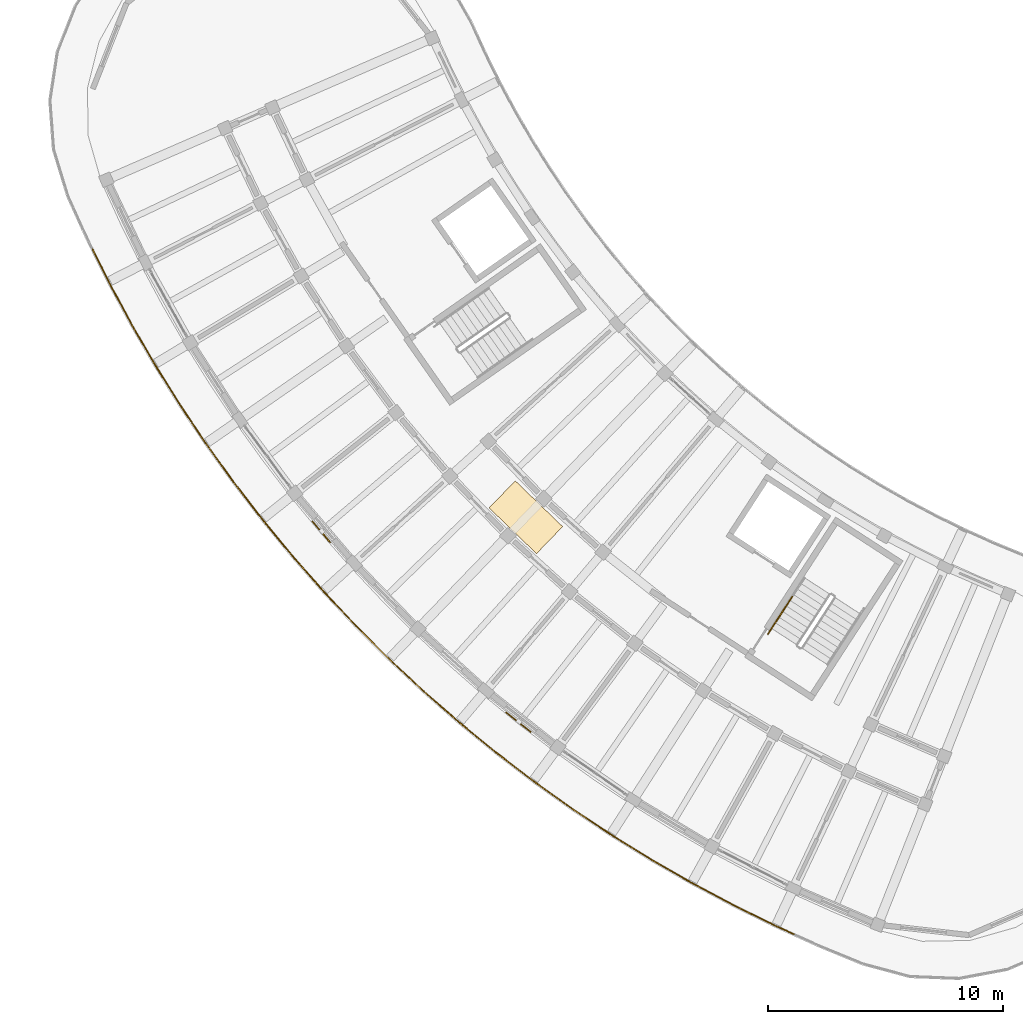
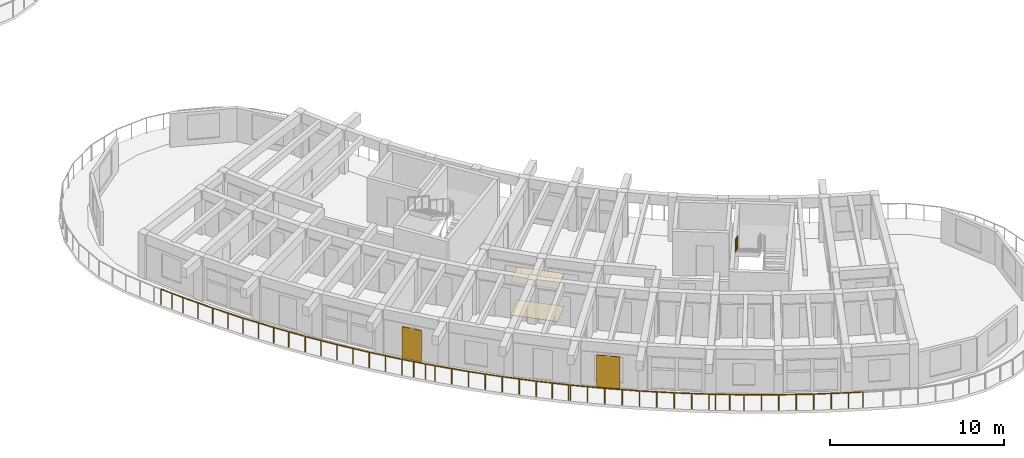
# One storey, part 49 of 62: 7 railings, 2 coverings, 2 shading devices.
"""IFC4 building model written with IfcOpenShell, lengths in metres."""

from ifc_helpers import new_model, si_unit, direction, frame, origin, origin_2d, place, context, subcontext, project, spatial, rectangle, circle, extrude, material, layer, layer_set, type_object, element, save


model = new_model("IFC4")

# Units and contexts
model_context = context("Model", 3, precision=1e-05, world=origin(), true_north=direction((0.0, 1.0)))
body_context = subcontext(model_context, "Body", "Model", "MODEL_VIEW")
ifc_project = project(units=[si_unit("LENGTHUNIT", "METRE"), si_unit("AREAUNIT", "SQUARE_METRE"), si_unit("VOLUMEUNIT", "CUBIC_METRE"), si_unit("PLANEANGLEUNIT", "RADIAN"), si_unit("MASSUNIT", "GRAM", prefix="KILO")], contexts=[model_context])

# Site, building, storey
site_placement = place(None, origin())
site = spatial("IfcSite", under=ifc_project, at=site_placement, CompositionType="ELEMENT")
building_placement = place(site_placement, origin())
building = spatial("IfcBuilding", under=site, at=building_placement, Name="Tanwirah Colonnade Gardens", CompositionType="ELEMENT")
storey_placement = place(building_placement, frame((0.0, 0.0, 32.360107421875)))
storey = spatial("IfcBuildingStorey", under=building, at=storey_placement, Name="L09", CompositionType="ELEMENT", Elevation=32.360107421875)

# Railings
ifc_material_1 = material(Name="Precast concrete C40/50", Category="concrete")
railing_type_1 = type_object("IfcRailingType", Name="BAL-EXT110", PredefinedType="BALUSTRADE", material=ifc_material_1)
railing_1_placement = place(storey_placement, frame((39.604736328125, 8.694580078125, 0.0)))
element("IfcRailing", 1, at=railing_1_placement, inside=storey, type_object=railing_type_1, Name="Block C L09 Balcony Ribbon Balustrade 9", PredefinedType="BALUSTRADE", context=body_context, shape_type="SweptSolid", body=[
    extrude(circle(Radius=0.02392578125, at=origin_2d()), frame((-0.028564453125, 0.012939453125, 1.076171875), z_axis=(-0.911314059764, 0.411711894991, 0.0), x_axis=(-0.411711894991, -0.911314059764, 0.0)), (0.0, 0.0, 1.0), 0.773681640625),
    extrude(circle(Radius=0.02392578125, at=origin_2d()), frame((-0.7900390625, 0.358154296875, 1.076171875), z_axis=(-0.897352335885, 0.441314836916, 0.0), x_axis=(-0.441314836916, -0.897352335885, 0.0)), (0.0, 0.0, 1.0), 1.944091796875),
    extrude(circle(Radius=0.02392578125, at=origin_2d()), frame((-2.590087890625, 1.244384765625, 1.076171875), z_axis=(-0.882416921514, 0.470468252516, 0.0), x_axis=(-0.470468252516, -0.882416921514, 0.0)), (0.0, 0.0, 1.0), 1.944091796875),
    extrude(circle(Radius=0.02392578125, at=origin_2d()), frame((-4.3603515625, 2.189453125, 1.076171875), z_axis=(-0.866598539642, 0.499005983021, 0.0), x_axis=(-0.499005983021, -0.866598539642, 0.0)), (0.0, 0.0, 1.0), 1.94384765625),
    extrude(circle(Radius=0.02392578125, at=origin_2d()), frame((-6.0986328125, 3.19140625, 1.076171875), z_axis=(-0.849786962615, 0.527126282943, 0.0), x_axis=(-0.527126282943, -0.849786962615, 0.0)), (0.0, 0.0, 1.0), 1.581787109375),
    extrude(circle(Radius=0.02099609375, at=origin_2d()), origin(), (0.0, 0.0, 1.0), 1.049072265625),
    extrude(circle(Radius=0.02099609375, at=origin_2d()), frame((-0.761962890625, 0.34423828125, 0.0)), (0.0, 0.0, 1.0), 1.049072265625),
    extrude(circle(Radius=0.02099609375, at=origin_2d()), frame((-1.662109375, 0.787109375, 0.0)), (0.0, 0.0, 1.0), 1.049072265625),
    extrude(circle(Radius=0.02099609375, at=origin_2d()), frame((-2.5625, 1.229736328125, 0.0)), (0.0, 0.0, 1.0), 1.049072265625),
    extrude(circle(Radius=0.02099609375, at=origin_2d()), frame((-3.44775390625, 1.70166015625, 0.0)), (0.0, 0.0, 1.0), 1.049072265625),
    extrude(circle(Radius=0.02099609375, at=origin_2d()), frame((-4.333251953125, 2.173828125, 0.0)), (0.0, 0.0, 1.0), 1.049072265625),
    extrude(circle(Radius=0.02099609375, at=origin_2d()), frame((-5.20263671875, 2.67431640625, 0.0)), (0.0, 0.0, 1.0), 1.049072265625),
    extrude(circle(Radius=0.02099609375, at=origin_2d()), frame((-6.072021484375, 3.175048828125, 0.0)), (0.0, 0.0, 1.0), 1.049072265625),
    extrude(circle(Radius=0.02099609375, at=origin_2d()), frame((-6.7705078125, 3.6083984375, 0.0)), (0.0, 0.0, 1.0), 1.049072265625),
    extrude(circle(Radius=0.02099609375, at=origin_2d()), frame((-7.46923828125, 4.041748046875, 0.0)), (0.0, 0.0, 1.0), 1.049072265625),
])
railing_2_placement = place(storey_placement, frame((32.135498046875, 12.736328125, 0.0)))
element("IfcRailing", 2, at=railing_2_placement, inside=storey, type_object=railing_type_1, Name="Block C L09 Balcony Ribbon Balustrade 10", PredefinedType="BALUSTRADE", context=body_context, shape_type="SweptSolid", body=[
    extrude(circle(Radius=0.02392578125, at=origin_2d()), frame((-0.026611328125, 0.0166015625, 1.076171875), z_axis=(-0.849733782289, 0.527212005968, 0.0), x_axis=(-0.527212005968, -0.849733782289, 0.0)), (0.0, 0.0, 1.0), 0.300048828125),
    extrude(circle(Radius=0.02392578125, at=origin_2d()), frame((-0.334228515625, 0.20849609375, 1.076171875), z_axis=(-0.832069011603, 0.554672119301, 0.0), x_axis=(-0.554672119301, -0.832069011603, 0.0)), (0.0, 0.0, 1.0), 1.944091796875),
    extrude(circle(Radius=0.02392578125, at=origin_2d()), frame((-2.003173828125, 1.322265625, 1.076171875), z_axis=(-0.813486769226, 0.581583421612, 0.0), x_axis=(-0.581583421612, -0.813486769226, 0.0)), (0.0, 0.0, 1.0), 1.944091796875),
    extrude(circle(Radius=0.02392578125, at=origin_2d()), frame((-3.635009765625, 2.490234375, 1.076171875), z_axis=(-0.794033083107, 0.607874545388, 0.0), x_axis=(-0.607874545388, -0.794033083107, 0.0)), (0.0, 0.0, 1.0), 1.944091796875),
    extrude(circle(Radius=0.02392578125, at=origin_2d()), frame((-5.2275390625, 3.710693359375, 1.076171875), z_axis=(-0.773707873236, 0.633542521771, 0.0), x_axis=(-0.633542521771, -0.773707873236, 0.0)), (0.0, 0.0, 1.0), 1.944091796875),
    extrude(circle(Radius=0.02392578125, at=origin_2d()), frame((-6.779296875, 4.982666015625, 1.076171875), z_axis=(-0.751759112871, 0.659437818308, 0.0), x_axis=(-0.659437818308, -0.751759112871, 0.0)), (0.0, 0.0, 1.0), 0.048583984375),
    extrude(circle(Radius=0.02099609375, at=origin_2d()), origin(), (0.0, 0.0, 1.0), 1.049072265625),
    extrude(circle(Radius=0.02099609375, at=origin_2d()), frame((-0.30810546875, 0.191162109375, 0.0)), (0.0, 0.0, 1.0), 1.049072265625),
    extrude(circle(Radius=0.02099609375, at=origin_2d()), frame((-1.14306640625, 0.74755859375, 0.0)), (0.0, 0.0, 1.0), 1.049072265625),
    extrude(circle(Radius=0.02099609375, at=origin_2d()), frame((-1.977783203125, 1.30419921875, 0.0)), (0.0, 0.0, 1.0), 1.049072265625),
    extrude(circle(Radius=0.02099609375, at=origin_2d()), frame((-2.7939453125, 1.8876953125, 0.0)), (0.0, 0.0, 1.0), 1.049072265625),
    extrude(circle(Radius=0.02099609375, at=origin_2d()), frame((-3.610107421875, 2.47119140625, 0.0)), (0.0, 0.0, 1.0), 1.049072265625),
    extrude(circle(Radius=0.02099609375, at=origin_2d()), frame((-4.40673828125, 3.0810546875, 0.0)), (0.0, 0.0, 1.0), 1.049072265625),
    extrude(circle(Radius=0.02099609375, at=origin_2d()), frame((-5.203369140625, 3.69091796875, 0.0)), (0.0, 0.0, 1.0), 1.049072265625),
    extrude(circle(Radius=0.02099609375, at=origin_2d()), frame((-5.9794921875, 4.32666015625, 0.0)), (0.0, 0.0, 1.0), 1.049072265625),
    extrude(circle(Radius=0.02099609375, at=origin_2d()), frame((-6.755859375, 4.962158203125, 0.0)), (0.0, 0.0, 1.0), 1.049072265625),
    extrude(circle(Radius=0.02099609375, at=origin_2d()), frame((-6.83935546875, 5.035400390625, 0.0)), (0.0, 0.0, 1.0), 1.049072265625),
])
railing_3_placement = place(storey_placement, frame((25.296142578125, 17.771728515625, 0.0)))
element("IfcRailing", 3, at=railing_3_placement, inside=storey, type_object=railing_type_1, Name="Block C L09 Balcony Ribbon Balustrade 11", PredefinedType="BALUSTRADE", context=body_context, shape_type="SweptSolid", body=[
    extrude(circle(Radius=0.02392578125, at=origin_2d()), frame((-0.0234375, 0.0205078125, 1.076171875), z_axis=(-0.752552758742, 0.658531962254, 0.0), x_axis=(-0.658531962254, -0.752552758742, 0.0)), (0.0, 0.0, 1.0), 1.8330078125),
    extrude(circle(Radius=0.02392578125, at=origin_2d()), frame((-1.449462890625, 1.26953125, 1.076171875), z_axis=(-0.730610060212, 0.682794947196, 0.0), x_axis=(-0.682794947196, -0.730610060212, 0.0)), (0.0, 0.0, 1.0), 1.944091796875),
    extrude(circle(Radius=0.02392578125, at=origin_2d()), frame((-2.914794921875, 2.640380859375, 1.076171875), z_axis=(-0.707897217537, 0.706315460261, 0.0), x_axis=(-0.706315460261, -0.707897217537, 0.0)), (0.0, 0.0, 1.0), 1.944091796875),
    extrude(circle(Radius=0.02392578125, at=origin_2d()), frame((-4.33447265625, 4.058349609375, 1.076171875), z_axis=(-0.684365955264, 0.729138696871, 0.0), x_axis=(-0.729138696871, -0.684365955264, 0.0)), (0.0, 0.0, 1.0), 1.944091796875),
    extrude(circle(Radius=0.02392578125, at=origin_2d()), frame((-5.70703125, 5.522216796875, 1.076171875), z_axis=(-0.660335965698, 0.750970313931, 0.0), x_axis=(-0.750970313931, -0.660335965698, 0.0)), (0.0, 0.0, 1.0), 0.52197265625),
    extrude(circle(Radius=0.02099609375, at=origin_2d()), origin(), (0.0, 0.0, 1.0), 1.049072265625),
    extrude(circle(Radius=0.02099609375, at=origin_2d()), frame((-0.71337890625, 0.6240234375, 0.0)), (0.0, 0.0, 1.0), 1.049072265625),
    extrude(circle(Radius=0.02099609375, at=origin_2d()), frame((-1.426513671875, 1.248291015625, 0.0)), (0.0, 0.0, 1.0), 1.049072265625),
    extrude(circle(Radius=0.02099609375, at=origin_2d()), frame((-2.15966796875, 1.933349609375, 0.0)), (0.0, 0.0, 1.0), 1.049072265625),
    extrude(circle(Radius=0.02099609375, at=origin_2d()), frame((-2.892578125, 2.618408203125, 0.0)), (0.0, 0.0, 1.0), 1.049072265625),
    extrude(circle(Radius=0.02099609375, at=origin_2d()), frame((-3.602783203125, 3.3271484375, 0.0)), (0.0, 0.0, 1.0), 1.049072265625),
    extrude(circle(Radius=0.02099609375, at=origin_2d()), frame((-4.31298828125, 4.03564453125, 0.0)), (0.0, 0.0, 1.0), 1.049072265625),
    extrude(circle(Radius=0.02099609375, at=origin_2d()), frame((-4.99951171875, 4.76708984375, 0.0)), (0.0, 0.0, 1.0), 1.049072265625),
    extrude(circle(Radius=0.02099609375, at=origin_2d()), frame((-5.686279296875, 5.498779296875, 0.0)), (0.0, 0.0, 1.0), 1.049072265625),
    extrude(circle(Radius=0.02099609375, at=origin_2d()), frame((-6.072265625, 5.937744140625, 0.0)), (0.0, 0.0, 1.0), 1.049072265625),
])
railing_4_placement = place(storey_placement, frame((19.223876953125, 23.70947265625, 0.0)))
element("IfcRailing", 4, at=railing_4_placement, inside=storey, type_object=railing_type_1, Name="Block C L09 Balcony Ribbon Balustrade 12", PredefinedType="BALUSTRADE", context=body_context, shape_type="SweptSolid", body=[
    extrude(circle(Radius=0.02392578125, at=origin_2d()), frame((-0.020751953125, 0.0234375, 1.076171875), z_axis=(-0.660143963364, 0.751139100057, 0.0), x_axis=(-0.751139100057, -0.660143963364, 0.0)), (0.0, 0.0, 1.0), 1.359375),
    extrude(circle(Radius=0.02392578125, at=origin_2d()), frame((-0.95849609375, 1.09228515625, 1.076171875), z_axis=(-0.635216698846, 0.77233395983, 0.0), x_axis=(-0.77233395983, -0.635216698846, 0.0)), (0.0, 0.0, 1.0), 1.944091796875),
    extrude(circle(Radius=0.02392578125, at=origin_2d()), frame((-2.232421875, 2.642578125, 1.076171875), z_axis=(-0.609669601555, 0.7926556484, 0.0), x_axis=(-0.7926556484, -0.609669601555, 0.0)), (0.0, 0.0, 1.0), 1.944091796875),
    extrude(circle(Radius=0.02392578125, at=origin_2d()), frame((-3.455078125, 4.23388671875, 1.076171875), z_axis=(-0.583285007996, 0.812267566413, 0.0), x_axis=(-0.812267566413, -0.583285007996, 0.0)), (0.0, 0.0, 1.0), 1.944091796875),
    extrude(circle(Radius=0.02392578125, at=origin_2d()), frame((-4.62451171875, 5.8642578125, 1.076171875), z_axis=(-0.556509188756, 0.830841454689, 0.0), x_axis=(-0.830841454689, -0.556509188756, 0.0)), (0.0, 0.0, 1.0), 0.99560546875),
    extrude(circle(Radius=0.02099609375, at=origin_2d()), origin(), (0.0, 0.0, 1.0), 1.049072265625),
    extrude(circle(Radius=0.02099609375, at=origin_2d()), frame((-0.46923828125, 0.5341796875, 0.0)), (0.0, 0.0, 1.0), 1.049072265625),
    extrude(circle(Radius=0.02099609375, at=origin_2d()), frame((-0.938720703125, 1.068115234375, 0.0)), (0.0, 0.0, 1.0), 1.049072265625),
    extrude(circle(Radius=0.02099609375, at=origin_2d()), frame((-1.576171875, 1.843017578125, 0.0)), (0.0, 0.0, 1.0), 1.049072265625),
    extrude(circle(Radius=0.02099609375, at=origin_2d()), frame((-2.21337890625, 2.617919921875, 0.0)), (0.0, 0.0, 1.0), 1.049072265625),
    extrude(circle(Radius=0.02099609375, at=origin_2d()), frame((-2.8251953125, 3.4130859375, 0.0)), (0.0, 0.0, 1.0), 1.049072265625),
    extrude(circle(Radius=0.02099609375, at=origin_2d()), frame((-3.436767578125, 4.20849609375, 0.0)), (0.0, 0.0, 1.0), 1.049072265625),
    extrude(circle(Radius=0.02099609375, at=origin_2d()), frame((-4.02197265625, 5.0234375, 0.0)), (0.0, 0.0, 1.0), 1.049072265625),
    extrude(circle(Radius=0.02099609375, at=origin_2d()), frame((-4.607177734375, 5.83837890625, 0.0)), (0.0, 0.0, 1.0), 1.049072265625),
    extrude(circle(Radius=0.02099609375, at=origin_2d()), frame((-5.196044921875, 6.717529296875, 0.0)), (0.0, 0.0, 1.0), 1.049072265625),
])
railing_5_placement = place(storey_placement, frame((14.02783203125, 30.427001953125, 0.0)))
element("IfcRailing", 5, at=railing_5_placement, inside=storey, type_object=railing_type_1, Name="Block C L09 Balcony Ribbon Balustrade 13", PredefinedType="BALUSTRADE", context=body_context, shape_type="SweptSolid", body=[
    extrude(circle(Radius=0.02392578125, at=origin_2d()), frame((-0.017333984375, 0.02587890625, 1.076171875), z_axis=(-0.556480866712, 0.83086042449, 0.0), x_axis=(-0.83086042449, -0.556480866712, 0.0)), (0.0, 0.0, 1.0), 0.885986328125),
    extrude(circle(Radius=0.02392578125, at=origin_2d()), frame((-0.54443359375, 0.814697265625, 1.076171875), z_axis=(-0.529003375217, 0.848619719903, 0.0), x_axis=(-0.848619719903, -0.529003375217, 0.0)), (0.0, 0.0, 1.0), 1.944091796875),
    extrude(circle(Radius=0.02392578125, at=origin_2d()), frame((-1.60498046875, 2.51806640625, 1.076171875), z_axis=(-0.500940340279, 0.865481816956, 0.0), x_axis=(-0.865481816956, -0.500940340279, 0.0)), (0.0, 0.0, 1.0), 1.94384765625),
    extrude(circle(Radius=0.02392578125, at=origin_2d()), frame((-2.609130859375, 4.255126953125, 1.076171875), z_axis=(-0.472342962594, 0.881414843129, 0.0), x_axis=(-0.881414843129, -0.472342962594, 0.0)), (0.0, 0.0, 1.0), 1.944091796875),
    extrude(circle(Radius=0.02392578125, at=origin_2d()), frame((-3.55615234375, 6.024169921875, 1.076171875), z_axis=(-0.443384478188, 0.896331526, 0.0), x_axis=(-0.896331526, -0.443384478188, 0.0)), (0.0, 0.0, 1.0), 1.46923828125),
    extrude(circle(Radius=0.02099609375, at=origin_2d()), origin(), (0.0, 0.0, 1.0), 1.049072265625),
    extrude(circle(Radius=0.02099609375, at=origin_2d()), frame((-0.52783203125, 0.7880859375, 0.0)), (0.0, 0.0, 1.0), 1.049072265625),
    extrude(circle(Radius=0.02099609375, at=origin_2d()), frame((-1.05859375, 1.6396484375, 0.0)), (0.0, 0.0, 1.0), 1.049072265625),
    extrude(circle(Radius=0.02099609375, at=origin_2d()), frame((-1.58935546875, 2.490966796875, 0.0)), (0.0, 0.0, 1.0), 1.049072265625),
    extrude(circle(Radius=0.02099609375, at=origin_2d()), frame((-2.091796875, 3.359375, 0.0)), (0.0, 0.0, 1.0), 1.049072265625),
    extrude(circle(Radius=0.02099609375, at=origin_2d()), frame((-2.594482421875, 4.2275390625, 0.0)), (0.0, 0.0, 1.0), 1.049072265625),
    extrude(circle(Radius=0.02099609375, at=origin_2d()), frame((-3.068359375, 5.11181640625, 0.0)), (0.0, 0.0, 1.0), 1.049072265625),
    extrude(circle(Radius=0.02099609375, at=origin_2d()), frame((-3.542236328125, 5.99609375, 0.0)), (0.0, 0.0, 1.0), 1.049072265625),
    extrude(circle(Radius=0.02099609375, at=origin_2d()), frame((-3.8818359375, 6.6826171875, 0.0)), (0.0, 0.0, 1.0), 1.049072265625),
    extrude(circle(Radius=0.02099609375, at=origin_2d()), frame((-4.221435546875, 7.369140625, 0.0)), (0.0, 0.0, 1.0), 1.049072265625),
])

# Coverings
ifc_material_2 = material(Name="Acoustic perforated gypsum ceiling board")
ifc_layer_1 = layer(ifc_material_2, 0.014892578125)
ifc_layer_set_1 = layer_set([ifc_layer_1], Name="Acoustic perforated gypsum ceiling board")
covering_type_1 = type_object("IfcCoveringType", Name="COV-CEIL15", PredefinedType="CEILING", material=ifc_layer_set_1)
covering_1_placement = place(storey_placement, frame((28.2177734375, 26.410888671875, 2.3125), z_axis=(0.0, 0.0, 1.0), x_axis=(0.719339800339, -0.694658370459, 0.0)))
element("IfcCovering", 6, at=covering_1_placement, inside=storey, type_object=covering_type_1, Name="Block C L09 Corridor Acoustic Ceiling", PredefinedType="CEILING", context=body_context, shape_type="SweptSolid", body=[
    extrude(rectangle(XDim=2.800048828125, YDim=1.60009765625, at=origin_2d()), origin(), (0.0, 0.0, 1.0), 0.014892578125),
])
ifc_material_3 = material(Name="Honed Abu Dhabi limestone terrazzo flooring", Category="masonry")
ifc_layer_2 = layer(ifc_material_3, 0.02001953125)
ifc_layer_set_2 = layer_set([ifc_layer_2], Name="Honed Abu Dhabi limestone terrazzo flooring")
covering_type_2 = type_object("IfcCoveringType", Name="COV-FLR20", PredefinedType="FLOORING", material=ifc_layer_set_2)
covering_2_placement = place(storey_placement, frame((28.2177734375, 26.410888671875, 0.0), z_axis=(0.0, 0.0, 1.0), x_axis=(0.719339800339, -0.694658370459, 0.0)))
element("IfcCovering", 7, at=covering_2_placement, inside=storey, type_object=covering_type_2, Name="Block C L09 Corridor Terrazzo Flooring", PredefinedType="FLOORING", context=body_context, shape_type="SweptSolid", body=[
    extrude(rectangle(XDim=2.800048828125, YDim=1.60009765625, at=origin_2d()), origin(), (0.0, 0.0, 1.0), 0.02001953125),
])

# Railings
ifc_material_4 = material(Name="Brushed bronze stainless steel", Category="steel")
railing_type_2 = type_object("IfcRailingType", Name="HR-ST090", PredefinedType="HANDRAIL", material=ifc_material_4)
railing_6_placement = place(storey_placement, frame((39.54296875, 23.041259765625, 2.413818359375)))
element("IfcRailing", 8, at=railing_6_placement, inside=storey, type_object=railing_type_2, Name="L09 ST-C2 stair handrail 5", PredefinedType="HANDRAIL", context=body_context, shape_type="SweptSolid", body=[
    extrude(circle(Radius=0.02392578125, at=origin_2d()), frame((-0.0146484375, -0.0224609375, 0.891845703125), z_axis=(-0.467836641068, -0.720411023977, 0.511993001717), x_axis=(0.838672561027, -0.544635965926, 0.0)), (0.0, 0.0, 1.0), 1.043212890625),
    extrude(circle(Radius=0.02099609375, at=origin_2d()), origin(), (0.0, 0.0, 1.0), 0.848876953125),
    extrude(circle(Radius=0.02099609375, at=origin_2d()), frame((-0.517333984375, -0.796630859375, 0.566162109375)), (0.0, 0.0, 1.0), 0.848876953125),
])
railing_7_placement = place(storey_placement, frame((39.025634765625, 22.24462890625, 2.97998046875)))
element("IfcRailing", 9, at=railing_7_placement, inside=storey, type_object=railing_type_2, Name="L09 ST-C2 stair handrail 6", PredefinedType="HANDRAIL", context=body_context, shape_type="SweptSolid", body=[
    extrude(circle(Radius=0.02392578125, at=origin_2d()), frame((-0.0146484375, -0.0224609375, 0.891845703125), z_axis=(-0.467889522294, -0.720492454576, 0.511830067333), x_axis=(0.838672561027, -0.544635965926, 0.0)), (0.0, 0.0, 1.0), 1.043212890625),
    extrude(circle(Radius=0.02099609375, at=origin_2d()), origin(), (0.0, 0.0, 1.0), 0.848876953125),
    extrude(circle(Radius=0.02099609375, at=origin_2d()), frame((-0.517333984375, -0.796630859375, 0.56591796875)), (0.0, 0.0, 1.0), 0.848876953125),
])

# Shading devices
ifc_material_5 = material(Name="Perforated architectural bronze aluminium", Category="aluminium")
ifc_layer_3 = layer(ifc_material_5, 0.044921875)
ifc_layer_set_3 = layer_set([ifc_layer_3], Name="Perforated architectural bronze aluminium")
shading_device_type = type_object("IfcShadingDeviceType", Name="SHD-MSH1", PredefinedType="JALOUSIE", material=ifc_layer_set_3)
shading_device_1_placement = place(storey_placement, frame((19.52099609375, 25.789306640625, 0.0), z_axis=(0.0, 0.0, 1.0), x_axis=(0.647788628629, -0.761820118282, 0.0)))
element("IfcShadingDevice", 10, at=shading_device_1_placement, inside=storey, type_object=shading_device_type, Name="Bronze mashrabiya solar screen C-L09-06", PredefinedType="JALOUSIE", context=body_context, shape_type="SweptSolid", body=[
    extrude(rectangle(XDim=1.199951171875, YDim=0.044921875, at=origin_2d()), origin(), (0.0, 0.0, 1.0), 2.199951171875),
])
shading_device_2_placement = place(storey_placement, frame((27.900146484375, 17.69775390625, 0.0), z_axis=(0.0, 0.0, 1.0), x_axis=(0.78396556, -0.620804317586, 0.0)))
element("IfcShadingDevice", 11, at=shading_device_2_placement, inside=storey, type_object=shading_device_type, Name="Bronze mashrabiya solar screen C-L09-09", PredefinedType="JALOUSIE", context=body_context, shape_type="SweptSolid", body=[
    extrude(rectangle(XDim=1.35009765625, YDim=0.044921875, at=origin_2d()), origin(), (0.0, 0.0, 1.0), 2.25),
])

save(model, "model.ifc")
